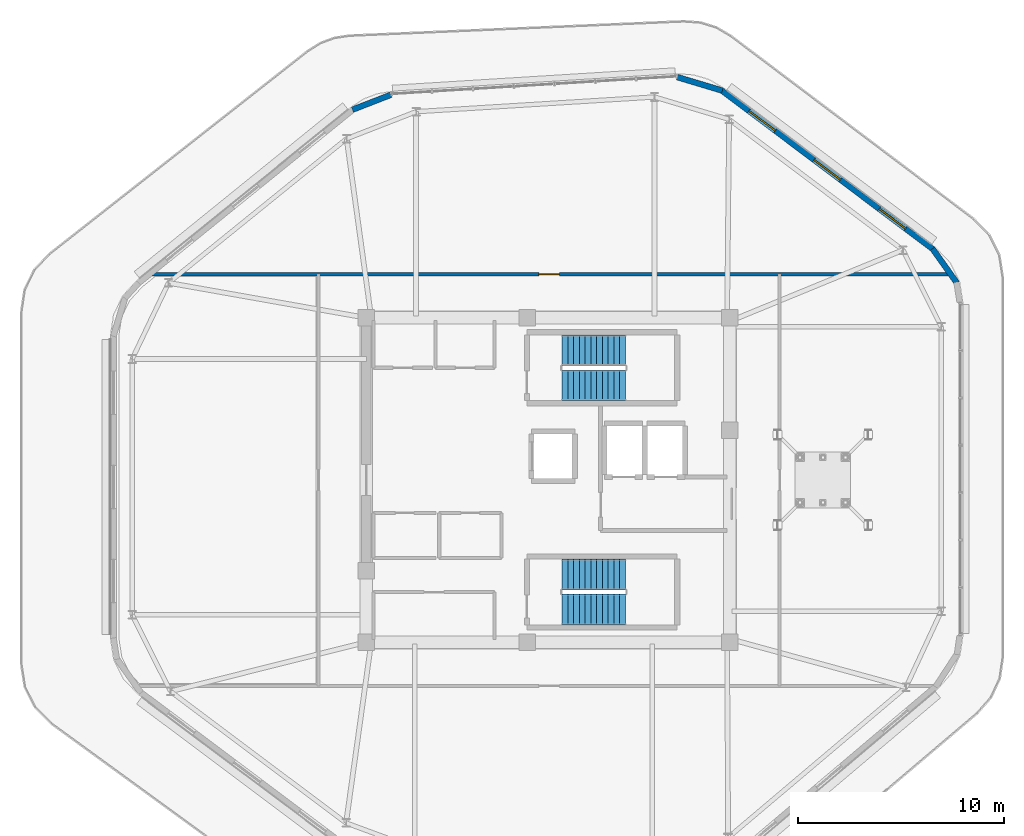
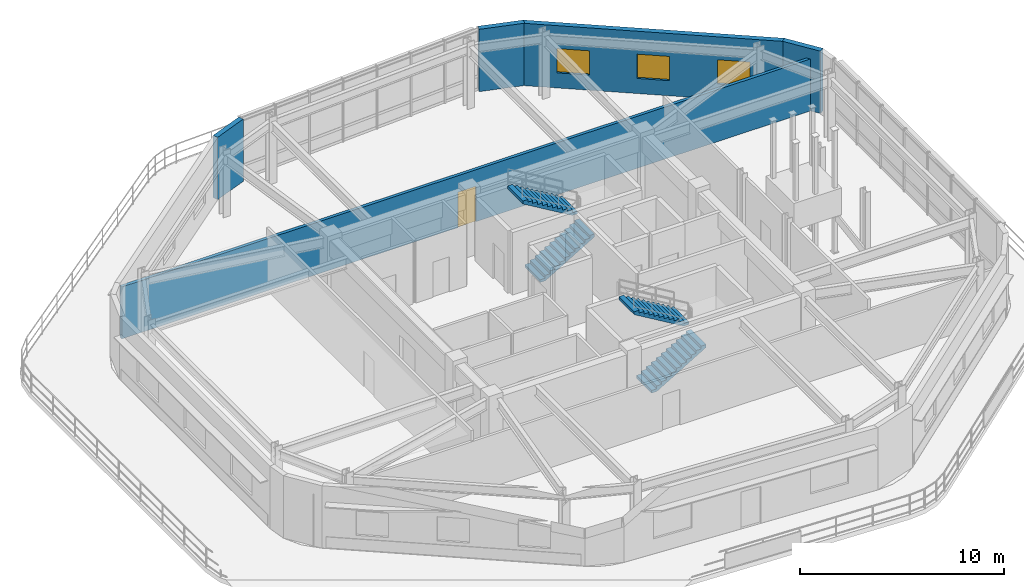
# One storey, part 10 of 13: 5 walls, 4 stair flights, 3 windows, 1 door, 4 openings, 2 elements without a shape of their own.
"""IFC4 building model written with IfcOpenShell, lengths in metres."""

from ifc_helpers import new_model, si_unit, direction, frame, frame_2d, origin, place, context, subcontext, project, spatial, polyline, rectangle, outline, extrude, material, layer, layer_set, type_object, element, fill, aggregate, save


model = new_model("IFC4")

# Units and contexts
model_context = context("Model", 3, precision=1e-05, world=origin(), true_north=direction((0.0, 1.0)))
body_context = subcontext(model_context, "Body", "Model", "MODEL_VIEW")
ifc_project = project(units=[si_unit("LENGTHUNIT", "METRE"), si_unit("AREAUNIT", "SQUARE_METRE"), si_unit("VOLUMEUNIT", "CUBIC_METRE"), si_unit("PLANEANGLEUNIT", "RADIAN"), si_unit("MASSUNIT", "GRAM", prefix="KILO")], contexts=[model_context])

# Site, building, storey
site_placement = place(None, origin())
site = spatial("IfcSite", under=ifc_project, at=site_placement, CompositionType="ELEMENT")
building_placement = place(site_placement, origin())
building = spatial("IfcBuilding", under=site, at=building_placement, Name="Zulverin Broadcast Headquarters", CompositionType="ELEMENT")
storey_placement = place(building_placement, frame((0.0, 0.0, 313.39990234375)))
storey = spatial("IfcBuildingStorey", under=building, at=storey_placement, Name="C1", CompositionType="ELEMENT", Elevation=313.39990234375)

# Wall, openings, windows
ifc_material_1 = material(Name="Insulated pale-metal clad concrete spandrel C40/50", Category="concrete")
ifc_layer_1 = layer(ifc_material_1, 0.280029296875, Name="Insulated pale-metal clad concrete spandrel C40/50", Category="concrete")
ifc_layer_set_1 = layer_set([ifc_layer_1], Name="Insulated pale-metal clad concrete spandrel C40/50")
wall_type_1 = type_object("IfcWallType", Name="WL-EXT-280", PredefinedType="STANDARD", material=ifc_layer_set_1)
wall_1_placement = place(storey_placement, frame((58.15869140625, 36.404296875, 0.0), z_axis=(0.0, 0.0, 1.0), x_axis=(-0.799362001769, 0.600849723415, 0.0)))
wall_1 = element("IfcWall", 1, at=wall_1_placement, inside=storey, type_object=wall_type_1, Name="C1 Pale-Metal Clad Spandrel Wall 4", PredefinedType="STANDARD", context=body_context, shape_type="SweptSolid", body=[
    extrude(rectangle(XDim=12.86669921875, YDim=0.280029296875, at=frame_2d((6.433349609375, 0.0))), origin(), (0.0, 0.0, 1.0), 3.72021484375),
])
opening_1_placement = place(wall_1_placement, frame((1.677734375, 0.0, 0.89990234375)))
opening_1 = element("IfcOpeningElement", 2, at=opening_1_placement, cuts=wall_1, Name="Opening W-C1-E41", PredefinedType="OPENING", context=body_context, shape_type="SweptSolid", body=[
    extrude(rectangle(XDim=1.60009765625, YDim=1.449951171875, at=frame_2d((0.800048828125, 0.72509765625))), frame((0.0, 0.14990234375, 0.0), z_axis=(0.0, -1.0, 0.0), x_axis=(1.0, 0.0, 0.0)), (0.0, 0.0, 1.0), 0.300048828125),
])
opening_2_placement = place(wall_1_placement, frame((5.63330078125, 0.0, 0.89990234375)))
opening_2 = element("IfcOpeningElement", 3, at=opening_2_placement, cuts=wall_1, Name="Opening W-C1-E42", PredefinedType="OPENING", context=body_context, shape_type="SweptSolid", body=[
    extrude(rectangle(XDim=1.60009765625, YDim=1.449951171875, at=frame_2d((0.800048828125, 0.72509765625))), frame((0.0, 0.14990234375, 0.0), z_axis=(0.0, -1.0, 0.0), x_axis=(1.0, 0.0, 0.0)), (0.0, 0.0, 1.0), 0.300048828125),
])
opening_3_placement = place(wall_1_placement, frame((9.589111328125, 0.0, 0.89990234375)))
opening_3 = element("IfcOpeningElement", 4, at=opening_3_placement, cuts=wall_1, Name="Opening W-C1-E43", PredefinedType="OPENING", context=body_context, shape_type="SweptSolid", body=[
    extrude(rectangle(XDim=1.60009765625, YDim=1.449951171875, at=frame_2d((0.800048828125, 0.72509765625))), frame((0.0, 0.14990234375, 0.0), z_axis=(0.0, -1.0, 0.0), x_axis=(1.0, 0.0, 0.0)), (0.0, 0.0, 1.0), 0.300048828125),
])
ifc_material_2 = material(Name="Pale anodized aluminium frame with solar-control low-E double glazing", Category="aluminium")
window_type = type_object("IfcWindowType", Name="WIN-CRN-1600", PartitioningType="SINGLE_PANEL", PredefinedType="WINDOW", material=ifc_material_2)
window_1_placement = place(opening_1_placement, origin())
window_1 = element("IfcWindow", 5, at=window_1_placement, inside=storey, type_object=window_type, Name="C1 Ribbon Glazing Window 4 1", OverallHeight=1.449951171875, OverallWidth=1.60009765625, PartitioningType="SINGLE_PANEL", PredefinedType="WINDOW", context=body_context, shape_type="SweptSolid", body=[
    extrude(rectangle(XDim=1.60009765625, YDim=1.449951171875, at=frame_2d((0.800048828125, 0.72509765625))), frame((0.0, 0.030029296875, 0.0), z_axis=(0.0, -1.0, 0.0), x_axis=(1.0, 0.0, 0.0)), (0.0, 0.0, 1.0), 0.06005859375),
])
fill(opening_1, window_1)
window_2_placement = place(opening_2_placement, origin())
window_2 = element("IfcWindow", 6, at=window_2_placement, inside=storey, type_object=window_type, Name="C1 Ribbon Glazing Window 4 2", OverallHeight=1.449951171875, OverallWidth=1.60009765625, PartitioningType="SINGLE_PANEL", PredefinedType="WINDOW", context=body_context, shape_type="SweptSolid", body=[
    extrude(rectangle(XDim=1.60009765625, YDim=1.449951171875, at=frame_2d((0.800048828125, 0.72509765625))), frame((0.0, 0.030029296875, 0.0), z_axis=(0.0, -1.0, 0.0), x_axis=(1.0, 0.0, 0.0)), (0.0, 0.0, 1.0), 0.06005859375),
])
fill(opening_2, window_2)
window_3_placement = place(opening_3_placement, origin())
window_3 = element("IfcWindow", 7, at=window_3_placement, inside=storey, type_object=window_type, Name="C1 Ribbon Glazing Window 4 3", OverallHeight=1.449951171875, OverallWidth=1.60009765625, PartitioningType="SINGLE_PANEL", PredefinedType="WINDOW", context=body_context, shape_type="SweptSolid", body=[
    extrude(rectangle(XDim=1.60009765625, YDim=1.449951171875, at=frame_2d((0.800048828125, 0.72509765625))), frame((0.0, 0.030029296875, 0.0), z_axis=(0.0, -1.0, 0.0), x_axis=(1.0, 0.0, 0.0)), (0.0, 0.0, 1.0), 0.06005859375),
])
fill(opening_3, window_3)

# Walls
wall_2_placement = place(storey_placement, frame((59.3251953125, 34.750244140625, 0.0), z_axis=(0.0, 0.0, 1.0), x_axis=(-0.578944699304, 0.815366810183, 0.0)))
element("IfcWall", 8, at=wall_2_placement, inside=storey, type_object=wall_type_1, Name="C1 Wind-Shaped Corner Spandrel Wall 3-2", PredefinedType="STANDARD", context=body_context, shape_type="SweptSolid", body=[
    extrude(rectangle(XDim=2.06640625, YDim=0.280029296875, at=frame_2d((1.033203125, 0.0))), origin(), (0.0, 0.0, 1.0), 3.72021484375),
])
wall_3_placement = place(storey_placement, frame((47.91748046875, 44.113037109375, 0.0), z_axis=(0.0, 0.0, 1.0), x_axis=(-0.957835100655, 0.287318499149, 0.0)))
element("IfcWall", 9, at=wall_3_placement, inside=storey, type_object=wall_type_1, Name="C1 Wind-Shaped Corner Spandrel Wall 4-1", PredefinedType="STANDARD", context=body_context, shape_type="SweptSolid", body=[
    extrude(rectangle(XDim=2.28662109375, YDim=0.280029296875, at=frame_2d((1.143310546875, 0.0))), origin(), (0.0, 0.0, 1.0), 3.72021484375),
])
wall_4_placement = place(storey_placement, frame((31.819091796875, 43.912841796875, 0.0), z_axis=(0.0, 0.0, 1.0), x_axis=(-0.931977254785, -0.362516753494, 0.0)))
element("IfcWall", 10, at=wall_4_placement, inside=storey, type_object=wall_type_1, Name="C1 Wind-Shaped Corner Spandrel Wall 5-1", PredefinedType="STANDARD", context=body_context, shape_type="SweptSolid", body=[
    extrude(rectangle(XDim=2.005615234375, YDim=0.280029296875, at=frame_2d((1.0029296875, 0.0))), origin(), (0.0, 0.0, 1.0), 3.72021484375),
])

# Wall, opening, door
ifc_material_3 = material(Name="Fire-rated acoustic stud wall", Category="gypsum")
ifc_layer_2 = layer(ifc_material_3, 0.175048828125, Name="Fire-rated acoustic stud wall", Category="gypsum")
ifc_layer_set_2 = layer_set([ifc_layer_2], Name="Fire-rated acoustic stud wall")
wall_type_2 = type_object("IfcWallType", Name="WL-PART-175", PredefinedType="PARTITIONING", material=ifc_layer_set_2)
wall_5_placement = place(storey_placement, frame((20.010498046875, 35.199951171875, 0.0), z_axis=(0.0, 0.0, 1.0), x_axis=(1.0, 0.0, 0.0)))
wall_5 = element("IfcWall", 11, at=wall_5_placement, inside=storey, type_object=wall_type_2, Name="C1 Gallery Partition Wall CG-04", PredefinedType="PARTITIONING", context=body_context, shape_type="SweptSolid", body=[
    extrude(rectangle(XDim=39.03955078125, YDim=0.175048828125, at=frame_2d((19.519775390625, 0.0))), origin(), (0.0, 0.0, 1.0), 3.102783203125),
])
opening_4_placement = place(wall_5_placement, frame((18.989501953125, 0.0, 0.0)))
opening_4 = element("IfcOpeningElement", 12, at=opening_4_placement, cuts=wall_5, Name="Opening D-C1-CR3", PredefinedType="OPENING", context=body_context, shape_type="SweptSolid", body=[
    extrude(rectangle(XDim=1.0, YDim=2.1201171875, at=frame_2d((0.5, 1.06005859375))), frame((0.0, 0.097412109375, 0.0), z_axis=(0.0, -1.0, 0.0), x_axis=(1.0, 0.0, 0.0)), (0.0, 0.0, 1.0), 0.195068359375),
])
ifc_material_4 = material(Name="Hardwood veneer acoustic leaf", Category="wood")
door_type = type_object("IfcDoorType", Name="DR-OFF-1000", OperationType="SINGLE_SWING_LEFT", PredefinedType="DOOR", material=ifc_material_4)
door_placement = place(opening_4_placement, origin())
door = element("IfcDoor", 13, at=door_placement, inside=storey, type_object=door_type, Name="C1 Crown Cooling & Chiller Plant Room Door", OperationType="SINGLE_SWING_RIGHT", OverallHeight=2.1201171875, OverallWidth=1.0, PredefinedType="DOOR", context=body_context, shape_type="SweptSolid", body=[
    extrude(rectangle(XDim=1.0, YDim=2.1201171875, at=frame_2d((0.5, 1.06005859375))), frame((0.0, 0.02490234375, 0.0), z_axis=(0.0, -1.0, 0.0), x_axis=(1.0, 0.0, 0.0)), (0.0, 0.0, 1.0), 0.050048828125),
])
fill(opening_4, door)

# Stair, stair flights
ifc_material_5 = material(Name="Concrete C40/50", Category="concrete")
stair_type = type_object("IfcStairType", Name="ST-CORE-1500", PredefinedType="HALF_TURN_STAIR", material=ifc_material_5)
stair_1_placement = place(storey_placement, origin())
stair_1 = element("IfcStair", 14, at=stair_1_placement, inside=storey, type_object=stair_type, Name="C1 Core Exit Stair ST-1", PredefinedType="HALF_TURN_STAIR")
stair_flight_type = type_object("IfcStairFlightType", Name="SF-CORE-1500", PredefinedType="STRAIGHT", material=ifc_material_5)
stair_flight_1_placement = place(storey_placement, frame((40.1298828125, 29.800048828125, 0.0), z_axis=(0.0, 0.0, 1.0), x_axis=(1.0, 0.0, 0.0)))
stair_flight_1 = element("IfcStairFlight", 15, at=stair_flight_1_placement, type_object=stair_flight_type, Name="ST-1 flight 1", NumberOfRisers=12, NumberOfTreads=11, PredefinedType="STRAIGHT", RiserHeight=0.166666667, TreadLength=0.28, context=body_context, shape_type="SweptSolid", body=[
    extrude(outline(polyline([(0.0, 0.0), (0.0, 0.166748046875), (0.280029296875, 0.166748046875), (0.280029296875, 0.333251953125), (0.56005859375, 0.333251953125), (0.56005859375, 0.5), (0.840087890625, 0.5), (0.840087890625, 0.666748046875), (1.1201171875, 0.666748046875), (1.1201171875, 0.833251953125), (1.39990234375, 0.833251953125), (1.39990234375, 1.0), (1.679931640625, 1.0), (1.679931640625, 1.166748046875), (1.9599609375, 1.166748046875), (1.9599609375, 1.333251953125), (2.239990234375, 1.333251953125), (2.239990234375, 1.5), (2.52001953125, 1.5), (2.52001953125, 1.666748046875), (2.800048828125, 1.666748046875), (2.800048828125, 1.833251953125), (3.080078125, 1.833251953125), (3.080078125, 2.0), (3.080078125, 1.658935546875), (0.29296875, 0.0), (0.0, 0.0)])), frame((0.0, 0.75, 0.0), z_axis=(0.0, -1.0, 0.0), x_axis=(1.0, 0.0, 0.0)), (0.0, 0.0, 1.0), 1.5),
])
stair_flight_2_placement = place(storey_placement, frame((43.2099609375, 31.5, 2.0), z_axis=(0.0, 0.0, 1.0), x_axis=(-1.0, 0.0, 0.0)))
stair_flight_2 = element("IfcStairFlight", 16, at=stair_flight_2_placement, type_object=stair_flight_type, Name="ST-1 flight 2", NumberOfRisers=12, NumberOfTreads=11, PredefinedType="STRAIGHT", RiserHeight=0.166666667, TreadLength=0.28, context=body_context, shape_type="SweptSolid", body=[
    extrude(outline(polyline([(0.0, 0.0), (0.0, 0.166748046875), (0.280029296875, 0.166748046875), (0.280029296875, 0.333251953125), (0.56005859375, 0.333251953125), (0.56005859375, 0.5), (0.840087890625, 0.5), (0.840087890625, 0.666748046875), (1.1201171875, 0.666748046875), (1.1201171875, 0.833251953125), (1.39990234375, 0.833251953125), (1.39990234375, 1.0), (1.679931640625, 1.0), (1.679931640625, 1.166748046875), (1.9599609375, 1.166748046875), (1.9599609375, 1.333251953125), (2.239990234375, 1.333251953125), (2.239990234375, 1.5), (2.52001953125, 1.5), (2.52001953125, 1.666748046875), (2.800048828125, 1.666748046875), (2.800048828125, 1.833251953125), (3.080078125, 1.833251953125), (3.080078125, 2.0), (3.080078125, 1.658935546875), (0.29296875, 0.0), (0.0, 0.0)])), frame((0.0, 0.75, 0.0), z_axis=(0.0, -1.0, 0.0), x_axis=(1.0, 0.0, 0.0)), (0.0, 0.0, 1.0), 1.5),
])
aggregate(stair_1, [stair_flight_1, stair_flight_2])

stair_2_placement = place(storey_placement, origin())
stair_2 = element("IfcStair", 17, at=stair_2_placement, inside=storey, type_object=stair_type, Name="C1 Core Exit Stair ST-2", PredefinedType="HALF_TURN_STAIR")
stair_flight_3_placement = place(storey_placement, frame((40.1298828125, 18.89990234375, 0.0), z_axis=(0.0, 0.0, 1.0), x_axis=(1.0, 0.0, 0.0)))
stair_flight_3 = element("IfcStairFlight", 18, at=stair_flight_3_placement, type_object=stair_flight_type, Name="ST-2 flight 1", NumberOfRisers=12, NumberOfTreads=11, PredefinedType="STRAIGHT", RiserHeight=0.166666667, TreadLength=0.28, context=body_context, shape_type="SweptSolid", body=[
    extrude(outline(polyline([(0.0, 0.0), (0.0, 0.166748046875), (0.280029296875, 0.166748046875), (0.280029296875, 0.333251953125), (0.56005859375, 0.333251953125), (0.56005859375, 0.5), (0.840087890625, 0.5), (0.840087890625, 0.666748046875), (1.1201171875, 0.666748046875), (1.1201171875, 0.833251953125), (1.39990234375, 0.833251953125), (1.39990234375, 1.0), (1.679931640625, 1.0), (1.679931640625, 1.166748046875), (1.9599609375, 1.166748046875), (1.9599609375, 1.333251953125), (2.239990234375, 1.333251953125), (2.239990234375, 1.5), (2.52001953125, 1.5), (2.52001953125, 1.666748046875), (2.800048828125, 1.666748046875), (2.800048828125, 1.833251953125), (3.080078125, 1.833251953125), (3.080078125, 2.0), (3.080078125, 1.658935546875), (0.29296875, 0.0), (0.0, 0.0)])), frame((0.0, 0.75, 0.0), z_axis=(0.0, -1.0, 0.0), x_axis=(1.0, 0.0, 0.0)), (0.0, 0.0, 1.0), 1.5),
])
stair_flight_4_placement = place(storey_placement, frame((43.2099609375, 20.60009765625, 2.0), z_axis=(0.0, 0.0, 1.0), x_axis=(-1.0, 0.0, 0.0)))
stair_flight_4 = element("IfcStairFlight", 19, at=stair_flight_4_placement, type_object=stair_flight_type, Name="ST-2 flight 2", NumberOfRisers=12, NumberOfTreads=11, PredefinedType="STRAIGHT", RiserHeight=0.166666667, TreadLength=0.28, context=body_context, shape_type="SweptSolid", body=[
    extrude(outline(polyline([(0.0, 0.0), (0.0, 0.166748046875), (0.280029296875, 0.166748046875), (0.280029296875, 0.333251953125), (0.56005859375, 0.333251953125), (0.56005859375, 0.5), (0.840087890625, 0.5), (0.840087890625, 0.666748046875), (1.1201171875, 0.666748046875), (1.1201171875, 0.833251953125), (1.39990234375, 0.833251953125), (1.39990234375, 1.0), (1.679931640625, 1.0), (1.679931640625, 1.166748046875), (1.9599609375, 1.166748046875), (1.9599609375, 1.333251953125), (2.239990234375, 1.333251953125), (2.239990234375, 1.5), (2.52001953125, 1.5), (2.52001953125, 1.666748046875), (2.800048828125, 1.666748046875), (2.800048828125, 1.833251953125), (3.080078125, 1.833251953125), (3.080078125, 2.0), (3.080078125, 1.658935546875), (0.29296875, 0.0), (0.0, 0.0)])), frame((0.0, 0.75, 0.0), z_axis=(0.0, -1.0, 0.0), x_axis=(1.0, 0.0, 0.0)), (0.0, 0.0, 1.0), 1.5),
])
aggregate(stair_2, [stair_flight_3, stair_flight_4])

save(model, "model.ifc")
